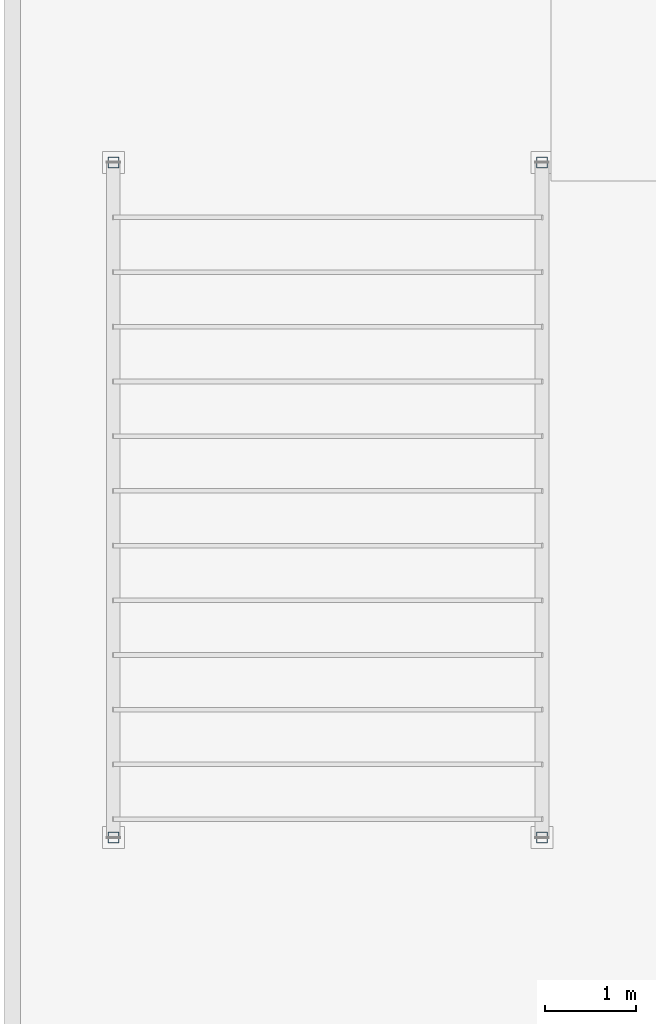
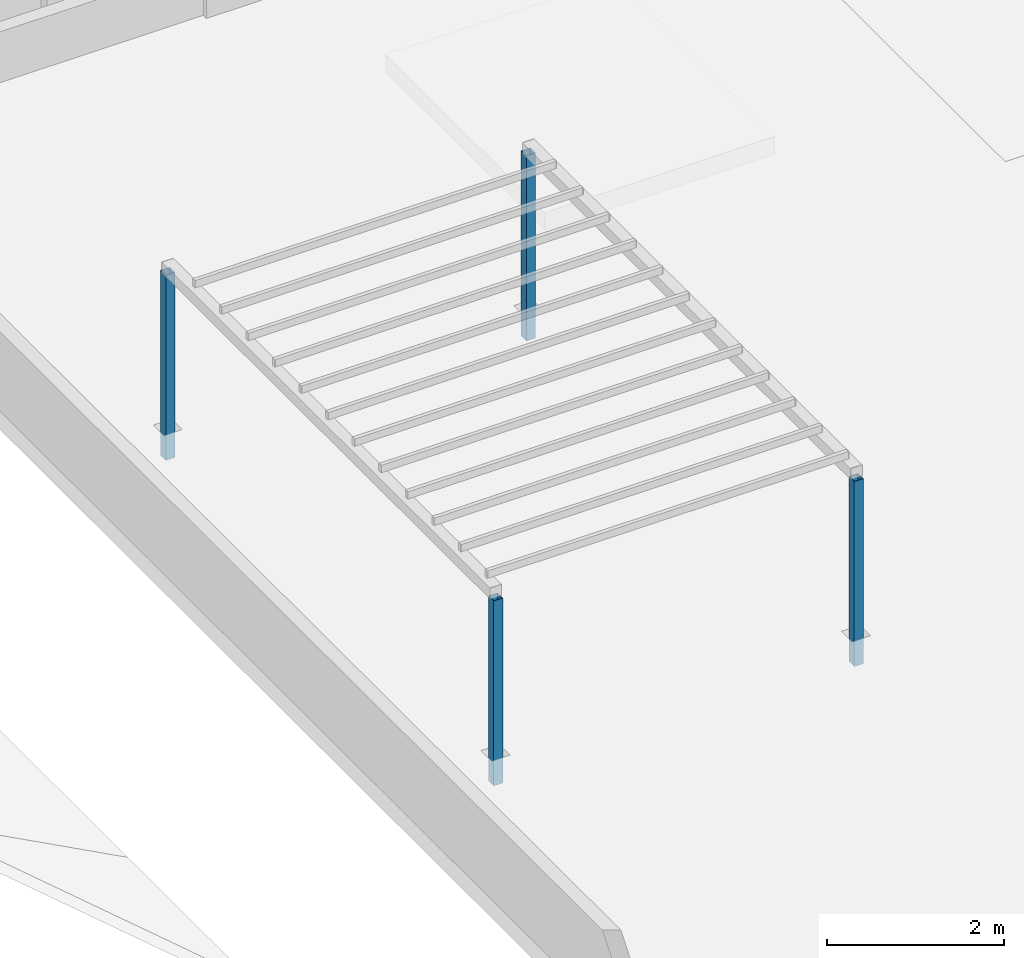
# One storey, part 3 of 92: 4 columns.
"""IFC4 building model written with IfcOpenShell, lengths in metres."""

from ifc_helpers import new_model, si_unit, direction, frame, origin, origin_2d, place, context, subcontext, project, spatial, hollow_rectangle, extrude, material, material_profile, profile_set, type_object, element, save


model = new_model("IFC4")

# Units and contexts
model_context = context("Model", 3, precision=1e-05, world=origin(), true_north=direction((0.0, 1.0)))
body_context = subcontext(model_context, "Body", "Model", "MODEL_VIEW")
ifc_project = project(units=[si_unit("LENGTHUNIT", "METRE"), si_unit("AREAUNIT", "SQUARE_METRE"), si_unit("VOLUMEUNIT", "CUBIC_METRE"), si_unit("PLANEANGLEUNIT", "RADIAN"), si_unit("MASSUNIT", "GRAM", prefix="KILO")], contexts=[model_context])

# Site, building, storey
site_placement = place(None, origin())
site = spatial("IfcSite", under=ifc_project, at=site_placement, CompositionType="ELEMENT")
building_placement = place(site_placement, origin())
building = spatial("IfcBuilding", under=site, at=building_placement, Name="Laocheng Heights Fire and Rescue Headquarters", CompositionType="ELEMENT")
storey_placement = place(building_placement, frame((0.0, 0.0, 12.60009765625)))
storey = spatial("IfcBuildingStorey", under=building, at=storey_placement, Name="L03", CompositionType="ELEMENT", Elevation=12.60009765625)

# Columns
ifc_material = material(Name="Steel Q355B", Category="steel")
ifc_material_profile = material_profile(ifc_material, hollow_rectangle(XDim=0.1201171875, YDim=0.1201171875, WallThickness=0.006103515625, at=origin_2d()), Name="RHS 120x120x6")
ifc_profile_set = profile_set([ifc_material_profile], Name="Steel Q355B")
column_type = type_object("IfcColumnType", Name="STEEL TRELLIS POST RHS 120x120x6", PredefinedType="COLUMN", material=ifc_profile_set)
for number, where, z_axis, x_axis, name in (
    (1, (55.199951171875, 7.199951171875, 0.0), (0.0, 0.0, 1.0), (1.0, 0.0, 0.0), "Trellis E flank post"),
    (2, (55.199951171875, 14.60009765625, 0.0), (0.0, 0.0, 1.0), (1.0, 0.0, 0.0), "Trellis E flank post"),
    (3, (59.89990234375, 7.199951171875, 0.0), (0.0, 0.0, 1.0), (1.0, 0.0, 0.0), "Trellis E flank post"),
    (4, (59.89990234375, 14.60009765625, 0.0), (0.0, 0.0, 1.0), (1.0, 0.0, 0.0), "Trellis E flank post"),
):
    element("IfcColumn", number, at=place(storey_placement, frame(where, z_axis=z_axis, x_axis=x_axis)), inside=storey, type_object=column_type, Name=name, PredefinedType="COLUMN", context=body_context, shape_type="SweptSolid", body=[
        extrude(hollow_rectangle(XDim=0.1201171875, YDim=0.1201171875, WallThickness=0.006103515625, at=origin_2d()), origin(), (0.0, 0.0, 1.0), 2.5498046875),
    ])

save(model, "model.ifc")
